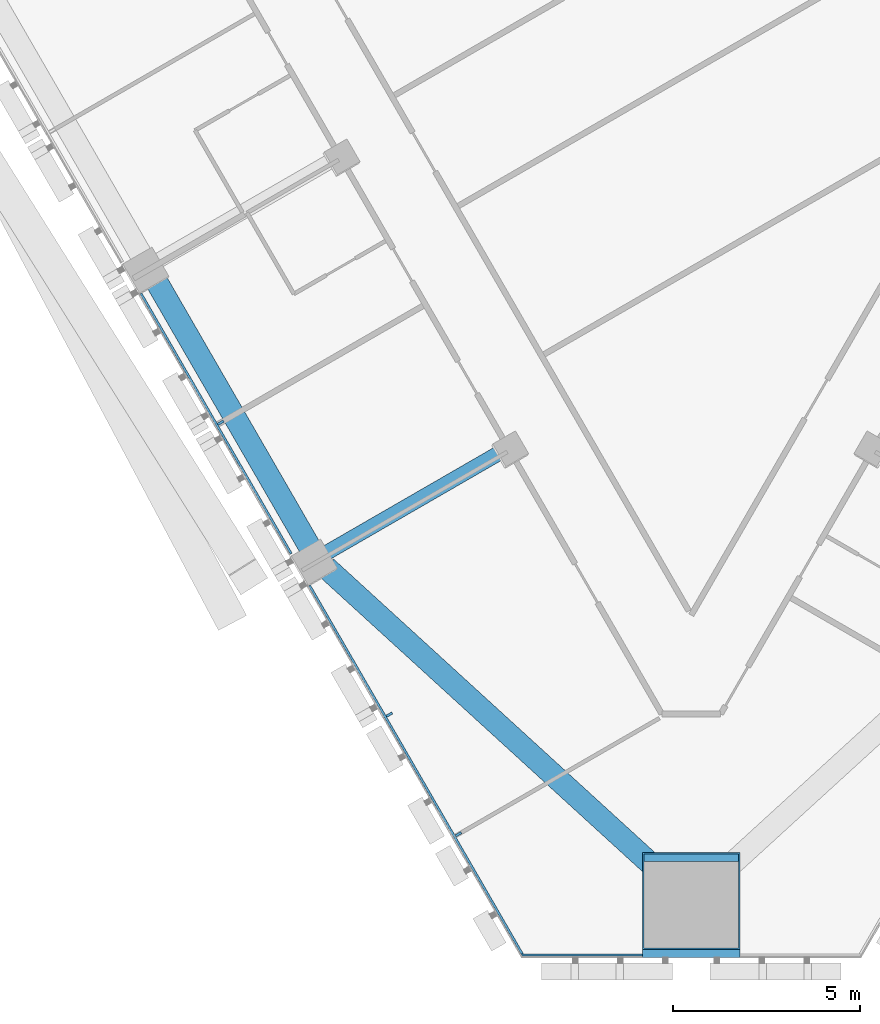
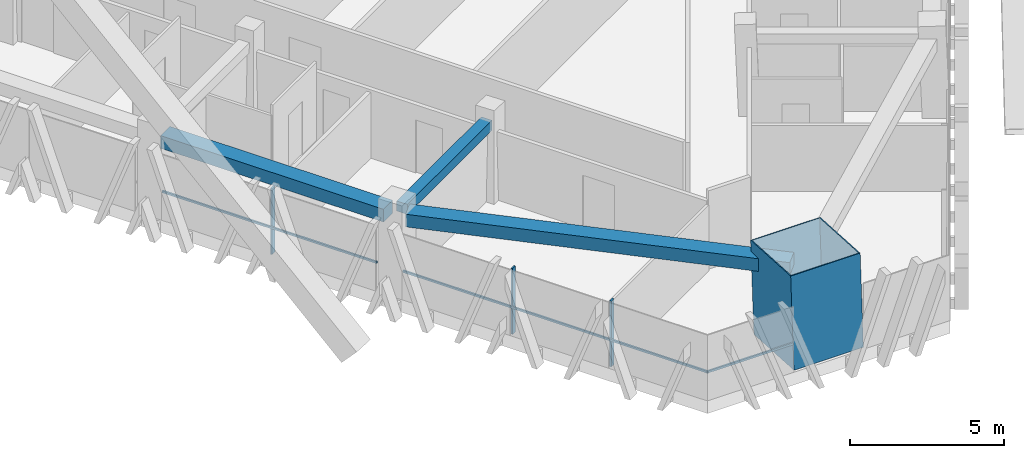
# One storey, part 2 of 19: 7 members, 3 beams, 2 elements without a shape of their own.
"""IFC4 building model written with IfcOpenShell, lengths in metres."""

from ifc_helpers import new_model, si_unit, direction, frame, origin, origin_2d, place, context, subcontext, project, spatial, rectangle, hollow_rectangle, extrude, material, layer, layer_set, material_profile, profile_set, type_object, element, aggregate, save


model = new_model("IFC4")

# Units and contexts
model_context = context("Model", 3, precision=1e-05, world=origin(), true_north=direction((0.0, 1.0)))
body_context = subcontext(model_context, "Body", "Model", "MODEL_VIEW")
ifc_project = project(units=[si_unit("LENGTHUNIT", "METRE"), si_unit("AREAUNIT", "SQUARE_METRE"), si_unit("VOLUMEUNIT", "CUBIC_METRE"), si_unit("PLANEANGLEUNIT", "RADIAN"), si_unit("MASSUNIT", "GRAM", prefix="KILO")], contexts=[model_context])

# Site, building, storey
site_placement = place(None, origin())
site = spatial("IfcSite", under=ifc_project, at=site_placement, CompositionType="ELEMENT")
building_placement = place(site_placement, origin())
building = spatial("IfcBuilding", under=site, at=building_placement, Name="Altiplano Prism Tower", CompositionType="ELEMENT")
storey_placement = place(building_placement, frame((0.0, 0.0, 70.199951171875)))
storey = spatial("IfcBuildingStorey", under=building, at=storey_placement, Name="L17", CompositionType="ELEMENT", Elevation=70.199951171875)

# Curtain wall, members
ifc_material_1 = material(Name="Aluminium and glass", Category="aluminium")
ifc_layer = layer(ifc_material_1, 0.280029296875)
ifc_layer_set = layer_set([ifc_layer], Name="Aluminium and glass")
curtain_wall_type = type_object("IfcCurtainWallType", Name="CW1 typical co-living unitised curtain wall", PredefinedType="NOTDEFINED", material=ifc_layer_set)
curtain_wall_1_placement = place(storey_placement, origin())
curtain_wall_1 = element("IfcCurtainWall", 1, at=curtain_wall_1_placement, inside=storey, type_object=curtain_wall_type, Name="CW1 curtain wall south-west face L17", PredefinedType="NOTDEFINED")
ifc_material_2 = material(Name="Aluminium", Category="aluminium")
ifc_material_profile_1 = material_profile(ifc_material_2, rectangle(XDim=0.179931640625, YDim=0.06494140625, at=origin_2d()), Name="CW1 mullion 65 x 180")
ifc_profile_set_1 = profile_set([ifc_material_profile_1], Name="Aluminium")
member_type_1 = type_object("IfcMemberType", Name="CW1 mullion 65 x 180", PredefinedType="MULLION", material=ifc_profile_set_1)
member_1_placement = place(storey_placement, frame((72.43798828125, 67.46337890625, 0.0), z_axis=(0.0, 0.0, 1.0), x_axis=(0.86602540313, 0.500000001134, 0.0)))
member_1 = element("IfcMember", 2, at=member_1_placement, type_object=member_type_1, Name="CW1 mullion", PredefinedType="MULLION", context=body_context, shape_type="SweptSolid", body=[
    extrude(rectangle(XDim=0.179931640625, YDim=0.06494140625, at=origin_2d()), origin(), (0.0, 0.0, 1.0), 2.60009765625),
])
member_2_placement = place(storey_placement, frame((76.93798828125, 59.669189453125, 0.0), z_axis=(0.0, 0.0, 1.0), x_axis=(0.86602540313, 0.500000001134, 0.0)))
member_2 = element("IfcMember", 3, at=member_2_placement, type_object=member_type_1, Name="CW1 mullion", PredefinedType="MULLION", context=body_context, shape_type="SweptSolid", body=[
    extrude(rectangle(XDim=0.179931640625, YDim=0.06494140625, at=origin_2d()), origin(), (0.0, 0.0, 1.0), 2.60009765625),
])
member_3_placement = place(storey_placement, frame((78.7822265625, 56.474853515625, 0.0), z_axis=(0.0, 0.0, 1.0), x_axis=(0.86602540313, 0.500000001134, 0.0)))
member_3 = element("IfcMember", 4, at=member_3_placement, type_object=member_type_1, Name="CW1 mullion", PredefinedType="MULLION", context=body_context, shape_type="SweptSolid", body=[
    extrude(rectangle(XDim=0.179931640625, YDim=0.06494140625, at=origin_2d()), origin(), (0.0, 0.0, 1.0), 2.60009765625),
])
ifc_material_profile_2 = material_profile(ifc_material_2, rectangle(XDim=0.06005859375, YDim=0.080078125, at=origin_2d()), Name="CW1 transom 80 x 60")
ifc_profile_set_2 = profile_set([ifc_material_profile_2], Name="Aluminium")
member_type_2 = type_object("IfcMemberType", Name="CW1 transom 80 x 60", PredefinedType="USERDEFINED", material=ifc_profile_set_2)
member_4_placement = place(storey_placement, frame((70.309326171875, 70.91015625, 1.10009765625), z_axis=(0.500012318566, -0.86601829154, 0.0), x_axis=(0.86601829154, 0.500012318566, 0.0)))
member_4 = element("IfcMember", 5, at=member_4_placement, type_object=member_type_2, Name="CW1 transom", ObjectType="TRANSOM", PredefinedType="USERDEFINED", context=body_context, shape_type="SweptSolid", body=[
    extrude(rectangle(XDim=0.06005859375, YDim=0.080078125, at=origin_2d()), origin(), (0.0, 0.0, 1.0), 8.019775390625),
])
member_5_placement = place(storey_placement, frame((74.809326171875, 63.115966796875, 1.10009765625), z_axis=(0.499997418218, -0.866026894372, 0.0), x_axis=(0.866026894372, 0.499997418218, 0.0)))
member_5 = element("IfcMember", 6, at=member_5_placement, type_object=member_type_2, Name="CW1 transom", ObjectType="TRANSOM", PredefinedType="USERDEFINED", context=body_context, shape_type="SweptSolid", body=[
    extrude(rectangle(XDim=0.06005859375, YDim=0.080078125, at=origin_2d()), origin(), (0.0, 0.0, 1.0), 11.42626953125),
])
aggregate(curtain_wall_1, [member_1, member_4, member_2, member_3, member_5])

# Curtain wall, member
curtain_wall_2_placement = place(storey_placement, origin())
curtain_wall_2 = element("IfcCurtainWall", 7, at=curtain_wall_2_placement, inside=storey, type_object=curtain_wall_type, Name="CW1 curtain wall south chamfer L17", PredefinedType="NOTDEFINED")
member_6_placement = place(storey_placement, frame((80.4619140625, 53.25537109375, 1.10009765625), z_axis=(1.0, 0.0, 0.0), x_axis=(0.0, 1.0, 0.0)))
member_6 = element("IfcMember", 8, at=member_6_placement, type_object=member_type_2, Name="CW1 transom", ObjectType="TRANSOM", PredefinedType="USERDEFINED", context=body_context, shape_type="SweptSolid", body=[
    extrude(rectangle(XDim=0.06005859375, YDim=0.080078125, at=origin_2d()), origin(), (0.0, 0.0, 1.0), 3.238037109375),
])
aggregate(curtain_wall_2, [member_6])

# Beams
ifc_material_3 = material(Name="Concrete C60/75", Category="concrete")
ifc_material_profile_3 = material_profile(ifc_material_3, rectangle(XDim=0.60009765625, YDim=0.5, at=origin_2d()), Name="Edge beam 600x500")
ifc_profile_set_3 = profile_set([ifc_material_profile_3], Name="Concrete C60/75")
beam_type_1 = type_object("IfcBeamType", Name="Edge beam 600x500", PredefinedType="SPANDREL", material=ifc_profile_set_3)
beam_1_placement = place(storey_placement, frame((70.657958984375, 71.34326171875, 2.85009765625), z_axis=(0.500014701701, -0.866016915587, 0.0), x_axis=(0.866016915587, 0.500014701701, 0.0)))
element("IfcBeam", 9, at=beam_1_placement, inside=storey, type_object=beam_type_1, Name="Edge beam P13-P14 L18", PredefinedType="SPANDREL", context=body_context, shape_type="SweptSolid", body=[
    extrude(rectangle(XDim=0.60009765625, YDim=0.5, at=origin_2d()), origin(), (0.0, 0.0, 1.0), 8.340087890625),
])
beam_2_placement = place(storey_placement, frame((75.2529296875, 63.597412109375, 2.85009765625), z_axis=(0.738406310656, -0.674356078332, 0.0), x_axis=(0.674356078332, 0.738406310656, 0.0)))
element("IfcBeam", 10, at=beam_2_placement, inside=storey, type_object=beam_type_1, Name="Edge beam P14-M1 L18", PredefinedType="SPANDREL", context=body_context, shape_type="SweptSolid", body=[
    extrude(rectangle(XDim=0.60009765625, YDim=0.5, at=origin_2d()), origin(), (0.0, 0.0, 1.0), 12.750244140625),
])

# Member
ifc_material_4 = material(Name="Steel S460", Category="steel")
ifc_material_profile_4 = material_profile(ifc_material_4, hollow_rectangle(XDim=2.60009765625, YDim=2.60009765625, WallThickness=0.0400390625, at=origin_2d()), Name="Mega column tube 2600")
ifc_profile_set_4 = profile_set([ifc_material_profile_4], Name="Steel S460")
member_type_3 = type_object("IfcMemberType", Name="Mega column tube 2600", PredefinedType="POST", material=ifc_profile_set_4)
member_7_placement = place(storey_placement, frame((85.0, 54.4853515625, 0.0), z_axis=(0.0, 0.058356907999, 0.998295783467), x_axis=(-1.0, 0.0, 0.0)))
element("IfcMember", 11, at=member_7_placement, inside=storey, type_object=member_type_3, Name="Mega column tube M1 L17", PredefinedType="POST", context=body_context, shape_type="SweptSolid", body=[
    extrude(hollow_rectangle(XDim=2.60009765625, YDim=2.60009765625, WallThickness=0.0400390625, at=origin_2d()), origin(), (0.0, 0.0, 1.0), 3.606201171875),
])

# Beam
ifc_material_profile_5 = material_profile(ifc_material_3, rectangle(XDim=0.39990234375, YDim=0.39990234375, at=origin_2d()), Name="Tie beam 400x400")
ifc_profile_set_5 = profile_set([ifc_material_profile_5], Name="Concrete C60/75")
beam_type_2 = type_object("IfcBeamType", Name="Tie beam 400x400", PredefinedType="BEAM", material=ifc_profile_set_5)
beam_3_placement = place(storey_placement, frame((80.033203125, 66.744873046875, 2.900146484375), z_axis=(-0.866012292785, -0.50002270823, 0.0), x_axis=(0.50002270823, -0.866012292785, 0.0)))
element("IfcBeam", 12, at=beam_3_placement, inside=storey, type_object=beam_type_2, Name="Tie beam I14 L18", PredefinedType="BEAM", context=body_context, shape_type="SweptSolid", body=[
    extrude(rectangle(XDim=0.39990234375, YDim=0.39990234375, at=origin_2d()), origin(), (0.0, 0.0, 1.0), 5.489990234375),
])

save(model, "model.ifc")
